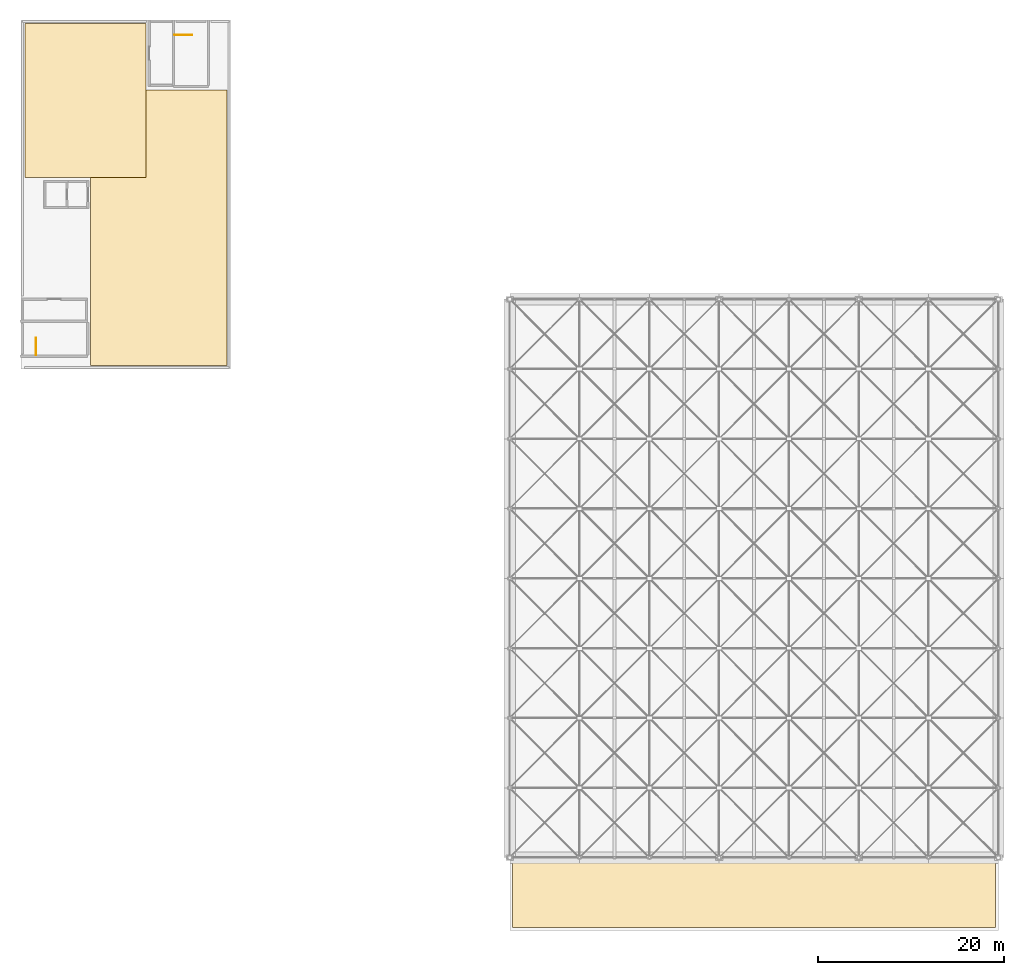
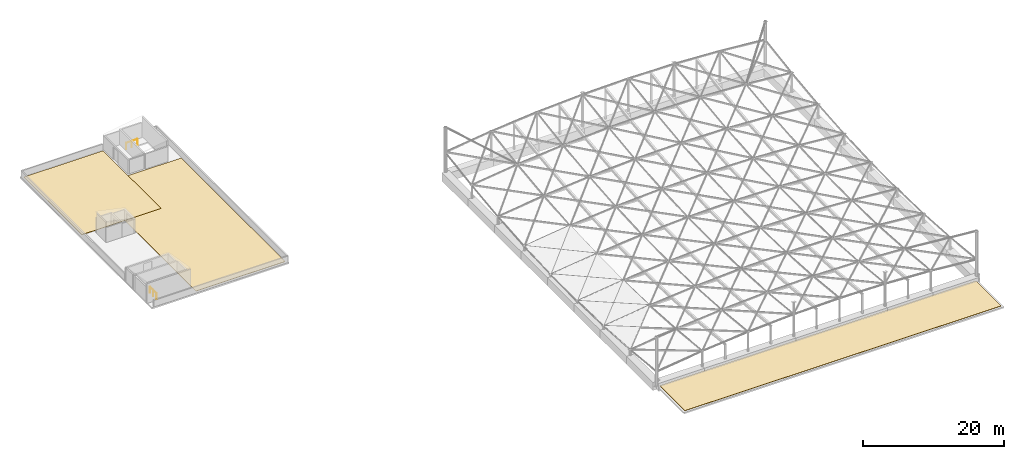
# One storey, part 17 of 17: 3 coverings, 2 railings.
"""IFC4 building model written with IfcOpenShell, lengths in metres."""

from ifc_helpers import new_model, si_unit, direction, frame, origin, origin_2d, place, context, subcontext, project, spatial, polyline, circle, outline, extrude, material, layer, layer_set, type_object, element, save


model = new_model("IFC4")

# Units and contexts
model_context = context("Model", 3, precision=1e-05, world=origin(), true_north=direction((0.0, 1.0)))
body_context = subcontext(model_context, "Body", "Model", "MODEL_VIEW")
ifc_project = project(units=[si_unit("LENGTHUNIT", "METRE"), si_unit("AREAUNIT", "SQUARE_METRE"), si_unit("VOLUMEUNIT", "CUBIC_METRE"), si_unit("PLANEANGLEUNIT", "RADIAN"), si_unit("MASSUNIT", "GRAM", prefix="KILO")], contexts=[model_context])

# Site, building, storey
site_placement = place(None, origin())
site = spatial("IfcSite", under=ifc_project, at=site_placement, CompositionType="ELEMENT")
building_placement = place(site_placement, origin())
building = spatial("IfcBuilding", under=site, at=building_placement, Name="Qasida Concert Hall", CompositionType="ELEMENT")
storey_placement = place(building_placement, frame((0.0, 0.0, 25.199951171875)))
storey = spatial("IfcBuildingStorey", under=building, at=storey_placement, Name="RF", CompositionType="ELEMENT", Elevation=25.199951171875)

# Coverings
ifc_material_1 = material(Name="Standing-seam patinated zinc-bronze acoustic roofing", Category="aluminium")
ifc_layer_1 = layer(ifc_material_1, 0.06005859375, Name="Standing-seam patinated zinc-bronze acoustic roofing")
ifc_layer_set_1 = layer_set([ifc_layer_1], Name="Standing-seam patinated zinc-bronze acoustic roofing")
covering_type = type_object("IfcCoveringType", Name="CV-RF-1", PredefinedType="ROOFING", material=ifc_layer_set_1)
covering_1_placement = place(storey_placement, origin())
element("IfcCovering", 1, at=covering_1_placement, inside=storey, type_object=covering_type, Name="RF acoustic standing-seam roofing 05", PredefinedType="ROOFING", context=body_context, shape_type="SweptSolid", body=[
    extrude(outline(polyline([(7.449951171875, 75.39990234375), (22.10009765625, 75.39990234375), (22.10009765625, 105.0), (7.449951171875, 105.0), (7.449951171875, 75.39990234375)])), origin(), (0.0, 0.0, 1.0), 0.06005859375),
])
covering_2_placement = place(storey_placement, origin())
element("IfcCovering", 2, at=covering_2_placement, inside=storey, type_object=covering_type, Name="RF acoustic standing-seam roofing 06", PredefinedType="ROOFING", context=body_context, shape_type="SweptSolid", body=[
    extrude(outline(polyline([(0.39990234375, 95.60009765625), (13.39990234375, 95.60009765625), (13.39990234375, 112.10009765625), (0.39990234375, 112.10009765625), (0.39990234375, 95.60009765625)])), origin(), (0.0, 0.0, 1.0), 0.06005859375),
])
covering_3_placement = place(storey_placement, origin())
element("IfcCovering", 3, at=covering_3_placement, inside=storey, type_object=covering_type, Name="RF acoustic standing-seam roofing 07", PredefinedType="ROOFING", context=body_context, shape_type="SweptSolid", body=[
    extrude(outline(polyline([(52.800048828125, 15.0), (104.699951171875, 15.0), (104.699951171875, 22.199951171875), (52.800048828125, 22.199951171875), (52.800048828125, 15.0)])), origin(), (0.0, 0.0, 1.0), 0.06005859375),
])

# Railings
ifc_material_2 = material(Name="Patinated architectural bronze and laminated glass infill", Category="glass")
ifc_layer_2 = layer(ifc_material_2, 0.080078125, Name="Patinated architectural bronze and laminated glass infill")
ifc_layer_set_2 = layer_set([ifc_layer_2], Name="Patinated architectural bronze and laminated glass infill")
railing_type = type_object("IfcRailingType", Name="RL-GRD-1100", PredefinedType="GUARDRAIL", material=ifc_layer_set_2)
railing_1_placement = place(storey_placement, frame((1.60009765625, 76.5, 0.0)))
element("IfcRailing", 4, at=railing_1_placement, inside=storey, type_object=railing_type, Name="RF ST-05 top well guard 1", PredefinedType="GUARDRAIL", context=body_context, shape_type="SweptSolid", body=[
    extrude(circle(Radius=0.02392578125, at=origin_2d()), frame((0.0, 0.0, 1.076171875), z_axis=(0.0, 1.0, 0.0), x_axis=(-1.0, 0.0, 0.0)), (0.0, 0.0, 1.0), 1.85009765625),
    extrude(circle(Radius=0.02099609375, at=origin_2d()), origin(), (0.0, 0.0, 1.0), 1.052001953125),
    extrude(circle(Radius=0.02099609375, at=origin_2d()), frame((0.0, 0.925048828125, 0.0)), (0.0, 0.0, 1.0), 1.052001953125),
    extrude(circle(Radius=0.02099609375, at=origin_2d()), frame((0.0, 1.85009765625, 0.0)), (0.0, 0.0, 1.0), 1.052001953125),
])
railing_2_placement = place(storey_placement, frame((16.5, 110.89990234375, 0.0)))
element("IfcRailing", 5, at=railing_2_placement, inside=storey, type_object=railing_type, Name="RF ST-06 top well guard 1", PredefinedType="GUARDRAIL", context=body_context, shape_type="SweptSolid", body=[
    extrude(circle(Radius=0.02392578125, at=origin_2d()), frame((0.0, 0.0, 1.076171875), z_axis=(1.0, 0.0, 0.0), x_axis=(0.0, 1.0, 0.0)), (0.0, 0.0, 1.0), 1.85009765625),
    extrude(circle(Radius=0.02099609375, at=origin_2d()), origin(), (0.0, 0.0, 1.0), 1.052001953125),
    extrude(circle(Radius=0.02099609375, at=origin_2d()), frame((0.925048828125, 0.0, 0.0)), (0.0, 0.0, 1.0), 1.052001953125),
    extrude(circle(Radius=0.02099609375, at=origin_2d()), frame((1.85009765625, 0.0, 0.0)), (0.0, 0.0, 1.0), 1.052001953125),
])

save(model, "model.ifc")
